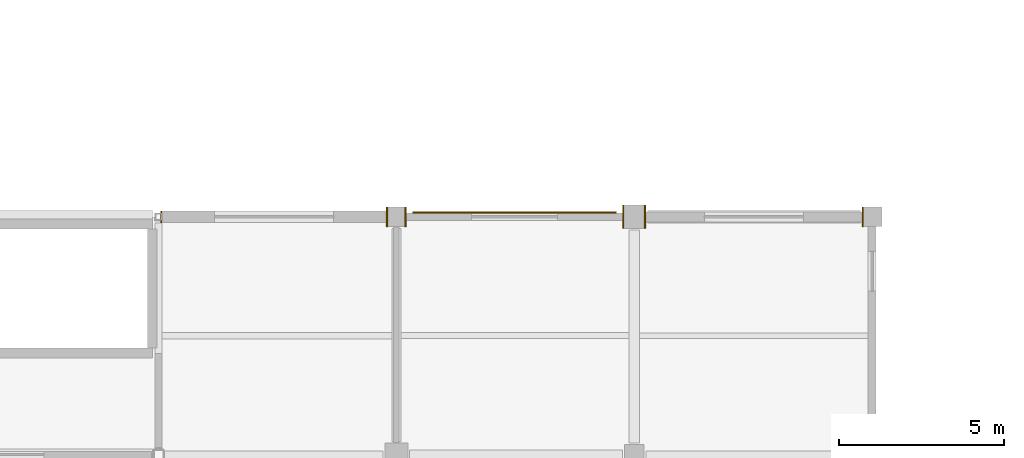
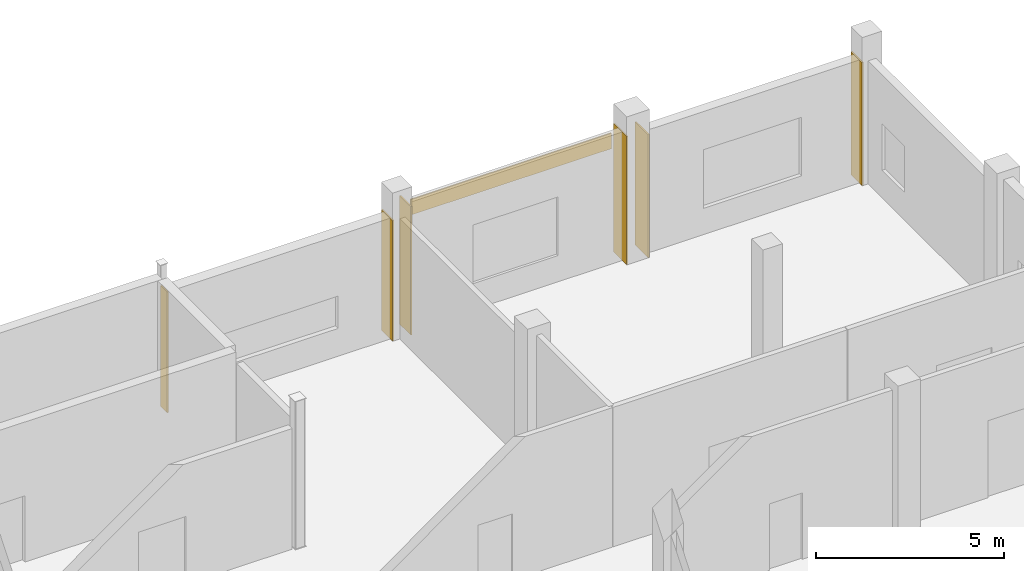
# One storey, part 71 of 72: 7 coverings.
"""IFC4 building model written with IfcOpenShell, lengths in metres."""

import ifcopenshell
import ifcopenshell.guid

model = None  # the IFC model being written
_history = None  # IfcOwnerHistory: only IFC2X3 demands one
_inside = {}  # id of a spatial element -> (the spatial element, [elements in it])
_under = {}  # id of a project, library or spatial element -> (it, [spatial elements below it])
_declared = {}  # id of a project -> (the project, [libraries it declares])
_typed = {}  # id of a type object -> (the type object, [elements of that type])
_made_of = {}  # id of a material, layer set ... -> (it, [elements and type objects made of it])


def new_model(schema):
    """Start an empty IFC model of exactly this schema.

    Asked for "IFC4X3", IfcOpenShell would pick the latest addendum, in which some entities
    have other attributes; the version numbers below select the first issue.
    IFC2X3 requires an IfcOwnerHistory on every rooted entity: one is made here for all.
    """
    global model, _history
    if schema == "IFC4X3":
        model = ifcopenshell.file(schema_version=(4, 3, 0, 0))
    else:
        model = ifcopenshell.file(schema=schema)
    _inside.clear()
    _under.clear()
    _declared.clear()
    _typed.clear()
    _made_of.clear()
    _history = None
    if model.schema == "IFC2X3":
        org = make("IfcOrganization", Name="unknown")
        user = make(
            "IfcPersonAndOrganization",
            ThePerson=make("IfcPerson", FamilyName="unknown"),
            TheOrganization=org,
        )
        app = make(
            "IfcApplication",
            ApplicationDeveloper=org,
            Version="unknown",
            ApplicationFullName="unknown",
            ApplicationIdentifier="unknown",
        )
        _history = make(
            "IfcOwnerHistory",
            OwningUser=user,
            OwningApplication=app,
            ChangeAction="ADDED",
            CreationDate=0,
        )
    return model


def make(cls, **values):
    """One entity of the class cls with the attributes given. An attribute that is None is left unset."""
    return model.create_entity(
        cls, **{name: value for name, value in values.items() if value is not None}
    )


def rooted(cls, **values):
    """An entity with a GlobalId (a new one), such as an element, a storey or a relation."""
    return make(cls, GlobalId=ifcopenshell.guid.new(), OwnerHistory=_history, **values)


def si_unit(unit_type, name, prefix=None):
    """IfcSIUnit, for example si_unit("LENGTHUNIT", "METRE", prefix="MILLI")."""
    return make("IfcSIUnit", UnitType=unit_type, Prefix=prefix, Name=name)


def assignment(units):
    """IfcUnitAssignment: the units of a project."""
    return None if units is None else make("IfcUnitAssignment", Units=units)


def point(xyz):
    """IfcCartesianPoint."""
    return None if xyz is None else make("IfcCartesianPoint", Coordinates=xyz)


def direction(xyz):
    """IfcDirection."""
    return None if xyz is None else make("IfcDirection", DirectionRatios=xyz)


def frame(location, z_axis=None, x_axis=None):
    """IfcAxis2Placement3D, a coordinate frame: its origin and axes. An axis left out is left unset."""
    return make(
        "IfcAxis2Placement3D",
        Location=point(location),
        Axis=direction(z_axis),
        RefDirection=direction(x_axis),
    )


def frame_2d(location, x_axis=None):
    """IfcAxis2Placement2D, a coordinate frame in the plane: its origin and x axis."""
    return make(
        "IfcAxis2Placement2D", Location=point(location), RefDirection=direction(x_axis)
    )


def origin():
    """The frame at (0, 0, 0) with its axes left unset."""
    return frame((0.0, 0.0, 0.0))


def origin_2d():
    """The frame at (0, 0) in the plane with its x axis left unset."""
    return frame_2d((0.0, 0.0))


def place(relative_to, where):
    """IfcLocalPlacement: puts the frame where relative to a parent placement (None: the world)."""
    return make(
        "IfcLocalPlacement", PlacementRelTo=relative_to, RelativePlacement=where
    )


def context(
    kind, dimensions, precision=None, world=None, true_north=None, identifier=None
):
    """IfcGeometricRepresentationContext, for example the 3D "Model" context."""
    return make(
        "IfcGeometricRepresentationContext",
        ContextIdentifier=identifier,
        ContextType=kind,
        CoordinateSpaceDimension=dimensions,
        Precision=precision,
        WorldCoordinateSystem=world,
        TrueNorth=true_north,
    )


def subcontext(parent, identifier, kind, view, scale=None):
    """IfcGeometricRepresentationSubContext, for example "Body" below "Model"."""
    return make(
        "IfcGeometricRepresentationSubContext",
        ContextIdentifier=identifier,
        ContextType=kind,
        ParentContext=parent,
        TargetScale=scale,
        TargetView=view,
    )


def project(units=None, contexts=None):
    """IfcProject with its units and contexts."""
    return rooted(
        "IfcProject",
        Name="project",
        RepresentationContexts=contexts,
        UnitsInContext=assignment(units),
    )


def spatial(cls, under=None, at=None, **own):
    """A site, building, storey or space (cls), placed at a placement, below another one or the project."""
    s = rooted(cls, ObjectPlacement=at, **own)
    if under is not None:
        _under.setdefault(under.id(), (under, []))[1].append(s)
    return s


def polyline(points):
    """IfcPolyline through the points."""
    return make("IfcPolyline", Points=[point(p) for p in points])


def profile(cls, at=None, kind="AREA", **sizes):
    """A parametric profile (cls). Its sizes go by their IFC names, for example OverallWidth=200.0."""
    return make(cls, ProfileType=kind, Position=at, **sizes)


def rectangle(**sizes):
    """IfcRectangleProfileDef."""
    return profile("IfcRectangleProfileDef", **sizes)


def outline(outer, holes=None, kind="AREA"):
    """IfcArbitraryClosedProfileDef: a profile drawn as a closed curve; with holes, ...WithVoids."""
    if holes is None:
        return make("IfcArbitraryClosedProfileDef", ProfileType=kind, OuterCurve=outer)
    return make(
        "IfcArbitraryProfileDefWithVoids",
        ProfileType=kind,
        OuterCurve=outer,
        InnerCurves=holes,
    )


def extrude(swept, where, along, depth):
    """IfcExtrudedAreaSolid: the profile swept, set in the frame where, extruded along a direction by depth."""
    return make(
        "IfcExtrudedAreaSolid",
        SweptArea=swept,
        Position=where,
        ExtrudedDirection=direction(along),
        Depth=depth,
    )


def shape(context_of_items, identifier, shape_type, items):
    """IfcShapeRepresentation: the items that make up one representation, for example the "Body"."""
    return make(
        "IfcShapeRepresentation",
        ContextOfItems=context_of_items,
        RepresentationIdentifier=identifier,
        RepresentationType=shape_type,
        Items=items,
    )


def material(Name=None, Category=None):
    """IfcMaterial."""
    return make("IfcMaterial", Name=Name, Category=Category)


def layer(
    of_material, thickness, ventilated=None, Name=None, Category=None, Priority=None
):
    """IfcMaterialLayer: one layer of a wall or slab, of a material (None: an air gap)."""
    return make(
        "IfcMaterialLayer",
        Material=of_material,
        LayerThickness=thickness,
        IsVentilated=ventilated,
        Name=Name,
        Category=Category,
        Priority=Priority,
    )


def layer_set(layers, Name=None):
    """IfcMaterialLayerSet."""
    return make("IfcMaterialLayerSet", MaterialLayers=layers, LayerSetName=Name)


def made_of(thing, what):
    """Note that an element or type object is made of a material, layer set ...; save() writes the relation."""
    if what is not None:
        _made_of.setdefault(what.id(), (what, []))[1].append(thing)
    return thing


def type_object(cls, material=None, **own):
    """A type object (cls), such as IfcWallType, which elements share."""
    return made_of(rooted(cls, **own), material)


def element(
    cls,
    number,
    at=None,
    inside=None,
    cuts=None,
    type_object=None,
    material=None,
    context=None,
    identifier="Body",
    shape_type=None,
    held_by="IfcProductDefinitionShape",
    body=None,
    shapes=None,
    **own,
):
    """One element of the class cls, such as IfcWall. Its Tag is "e" and its number.

    at: its placement. inside: the storey or other place that contains it. cuts: it is an
    opening in that element (IfcRelVoidsElement). A single representation is given by context,
    identifier, shape_type and body (its items); several are given by shapes. held_by: the class
    of the entity that holds the representations. save() writes the other relations.
    """
    e = rooted(cls, Tag="e%d" % number, ObjectPlacement=at, **own)
    if body is not None:
        shapes = [shape(context, identifier, shape_type, body)]
    if shapes is not None:
        e.Representation = make(held_by, Representations=shapes)
    if inside is not None:
        _inside.setdefault(inside.id(), (inside, []))[1].append(e)
    if cuts is not None:
        rooted(
            "IfcRelVoidsElement", RelatingBuildingElement=cuts, RelatedOpeningElement=e
        )
    if type_object is not None:
        _typed.setdefault(type_object.id(), (type_object, []))[1].append(e)
    return made_of(e, material)


def aggregate(whole, parts):
    """IfcRelAggregates: a whole, such as a stair, and the parts it consists of."""
    return rooted("IfcRelAggregates", RelatingObject=whole, RelatedObjects=parts)


def save(model, path):
    """Write the relations noted so far, then the file.

    IfcRelAggregates (storeys below a building ...), IfcRelContainedInSpatialStructure (elements
    in a storey), IfcRelDefinesByType, IfcRelAssociatesMaterial and IfcRelDeclares: one each for
    every whole, place, type object, material and project.
    """
    for whole, parts in _under.values():
        aggregate(whole, parts)
    for where, things in _inside.values():
        rooted(
            "IfcRelContainedInSpatialStructure",
            RelatedElements=things,
            RelatingStructure=where,
        )
    for kind, things in _typed.values():
        rooted("IfcRelDefinesByType", RelatedObjects=things, RelatingType=kind)
    for what, things in _made_of.values():
        rooted("IfcRelAssociatesMaterial", RelatedObjects=things, RelatingMaterial=what)
    for by, libraries in _declared.values():
        rooted("IfcRelDeclares", RelatingContext=by, RelatedDefinitions=libraries)
    model.write(path)


model = new_model("IFC4")

# Units and contexts
model_context = context("Model", 3, precision=1e-05, world=origin(), true_north=direction((0.0, 1.0)))
body_context = subcontext(model_context, "Body", "Model", "MODEL_VIEW")
ifc_project = project(units=[si_unit("LENGTHUNIT", "METRE"), si_unit("AREAUNIT", "SQUARE_METRE"), si_unit("VOLUMEUNIT", "CUBIC_METRE"), si_unit("PLANEANGLEUNIT", "RADIAN"), si_unit("MASSUNIT", "GRAM", prefix="KILO")], contexts=[model_context])

# Site, building, storey
site_placement = place(None, origin())
site = spatial("IfcSite", under=ifc_project, at=site_placement, CompositionType="ELEMENT")
building_placement = place(site_placement, origin())
building = spatial("IfcBuilding", under=site, at=building_placement, Name="Calvrana Isthmian Art Gallery", CompositionType="ELEMENT")
storey_placement = place(building_placement, frame((0.0, 0.0, 15.0)))
storey = spatial("IfcBuildingStorey", under=building, at=storey_placement, Name="L03", CompositionType="ELEMENT", Elevation=15.0)

# Coverings
ifc_material = material(Name="Polychrome glazed terracotta", Category="masonry")
ifc_layer = layer(ifc_material, 0.0400390625, Name="Polychrome glazed terracotta")
ifc_layer_set = layer_set([ifc_layer], Name="Polychrome glazed terracotta")
covering_type = type_object("IfcCoveringType", Name="COV-CLAD-TERRA", PredefinedType="CLADDING", material=ifc_layer_set)
covering_1_placement = place(storey_placement, origin())
element("IfcCovering", 1, at=covering_1_placement, inside=storey, type_object=covering_type, Name="Column pocket weather closure L03-14-13-W", PredefinedType="CLADDING", context=body_context, shape_type="SweptSolid", body=[
    extrude(outline(polyline([(112.861572265625, 98.22509765625), (112.901611328125, 98.22509765625), (112.901611328125, 98.574951171875), (112.861572265625, 98.574951171875), (112.861572265625, 98.22509765625)])), origin(), (0.0, 0.0, 1.0), 3.9130859375),
])
covering_2_placement = place(storey_placement, origin())
element("IfcCovering", 2, at=covering_2_placement, inside=storey, type_object=covering_type, Name="Column pocket weather closure L03-14-13-E", PredefinedType="CLADDING", context=body_context, shape_type="SweptSolid", body=[
    extrude(outline(polyline([(119.699951171875, 98.10498046875), (119.739990234375, 98.10498046875), (119.739990234375, 98.695068359375), (119.699951171875, 98.695068359375), (119.699951171875, 98.10498046875)])), origin(), (0.0, 0.0, 1.0), 3.9130859375),
])
covering_3_placement = place(storey_placement, origin())
element("IfcCovering", 3, at=covering_3_placement, inside=storey, type_object=covering_type, Name="Column pocket weather closure L03-15-13-W", PredefinedType="CLADDING", context=body_context, shape_type="SweptSolid", body=[
    extrude(outline(polyline([(120.260009765625, 98.10498046875), (120.300048828125, 98.10498046875), (120.300048828125, 98.695068359375), (120.260009765625, 98.695068359375), (120.260009765625, 98.10498046875)])), origin(), (0.0, 0.0, 1.0), 4.1640625),
])
covering_4_placement = place(storey_placement, origin())
element("IfcCovering", 4, at=covering_4_placement, inside=storey, type_object=covering_type, Name="Column pocket weather closure L03-15-13-E", PredefinedType="CLADDING", context=body_context, shape_type="SweptSolid", body=[
    extrude(outline(polyline([(126.85009765625, 98.054931640625), (126.889892578125, 98.054931640625), (126.889892578125, 98.7451171875), (126.85009765625, 98.7451171875), (126.85009765625, 98.054931640625)])), origin(), (0.0, 0.0, 1.0), 4.1640625),
])
covering_5_placement = place(storey_placement, frame((123.574951171875, 98.528076171875, 3.56396484375), z_axis=(0.0, 0.0, 1.0), x_axis=(1.0, 0.0, 0.0)))
element("IfcCovering", 5, at=covering_5_placement, inside=storey, type_object=covering_type, Name="Terracotta spandrel cladding 160", PredefinedType="CLADDING", context=body_context, shape_type="SweptSolid", body=[
    extrude(rectangle(XDim=6.14990234375, YDim=0.0400390625, at=origin_2d()), origin(), (0.0, 0.0, 1.0), 0.5),
])
covering_6_placement = place(storey_placement, origin())
element("IfcCovering", 6, at=covering_6_placement, inside=storey, type_object=covering_type, Name="Column pocket weather closure L03-16-13-W", PredefinedType="CLADDING", context=body_context, shape_type="SweptSolid", body=[
    extrude(outline(polyline([(127.510009765625, 98.054931640625), (127.550048828125, 98.054931640625), (127.550048828125, 98.7451171875), (127.510009765625, 98.7451171875), (127.510009765625, 98.054931640625)])), origin(), (0.0, 0.0, 1.0), 3.987060546875),
])
covering_7_placement = place(storey_placement, origin())
element("IfcCovering", 7, at=covering_7_placement, inside=storey, type_object=covering_type, Name="Column pocket weather closure L03-16-13-E", PredefinedType="CLADDING", context=body_context, shape_type="SweptSolid", body=[
    extrude(outline(polyline([(134.10009765625, 98.10498046875), (134.139892578125, 98.10498046875), (134.139892578125, 98.695068359375), (134.10009765625, 98.695068359375), (134.10009765625, 98.10498046875)])), origin(), (0.0, 0.0, 1.0), 3.987060546875),
])

save(model, "model.ifc")
